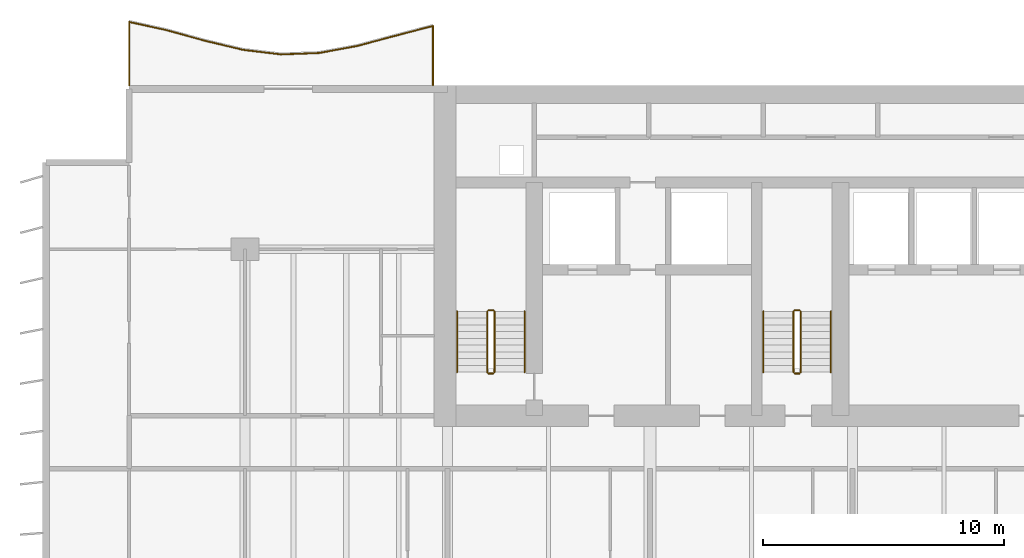
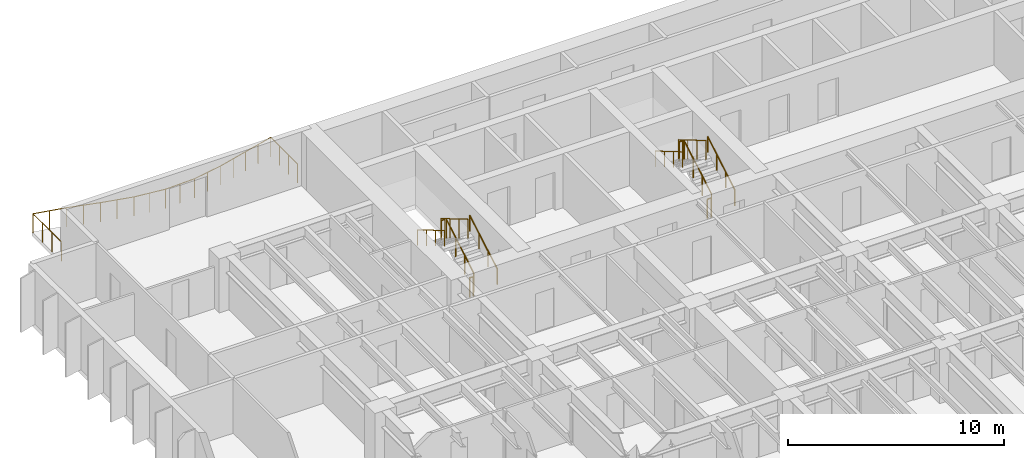
# One storey, part 17 of 19: 13 railings.
"""IFC4 building model written with IfcOpenShell, lengths in metres."""

from ifc_helpers import new_model, si_unit, direction, frame, origin, origin_2d, place, context, subcontext, project, spatial, circle, extrude, material, type_object, element, save


model = new_model("IFC4")

# Units and contexts
model_context = context("Model", 3, precision=1e-05, world=origin(), true_north=direction((0.0, 1.0)))
body_context = subcontext(model_context, "Body", "Model", "MODEL_VIEW")
ifc_project = project(units=[si_unit("LENGTHUNIT", "METRE"), si_unit("AREAUNIT", "SQUARE_METRE"), si_unit("VOLUMEUNIT", "CUBIC_METRE"), si_unit("PLANEANGLEUNIT", "RADIAN"), si_unit("MASSUNIT", "GRAM", prefix="KILO")], contexts=[model_context])

# Site, building, storey
site_placement = place(None, origin())
site = spatial("IfcSite", under=ifc_project, at=site_placement, CompositionType="ELEMENT")
building_placement = place(site_placement, origin())
building = spatial("IfcBuilding", under=site, at=building_placement, Name="Caelmar Bay Residences", CompositionType="ELEMENT")
storey_placement = place(building_placement, frame((0.0, 0.0, 66.300048828125)))
storey = spatial("IfcBuildingStorey", under=building, at=storey_placement, Name="L17", CompositionType="ELEMENT", Elevation=66.300048828125)

# Railings
ifc_material_1 = material(Name="Anodised bronze handrail with laminated hurricane glass infill", Category="glass")
railing_type_1 = type_object("IfcRailingType", Name="RL-BAL-1100", PredefinedType="BALUSTRADE", material=ifc_material_1)
railing_1_placement = place(storey_placement, frame((17.699951171875, 50.60009765625, 0.0)))
element("IfcRailing", 1, at=railing_1_placement, inside=storey, type_object=railing_type_1, Name="L17 north_west Balcony Balustrade", PredefinedType="BALUSTRADE", context=body_context, shape_type="SweptSolid", body=[
    extrude(circle(Radius=0.02392578125, at=origin_2d()), frame((0.0, 0.0, 1.076171875), z_axis=(0.0, 1.0, 0.0), x_axis=(-1.0, 0.0, 0.0)), (0.0, 0.0, 1.0), 2.460693359375),
    extrude(circle(Radius=0.02392578125, at=origin_2d()), frame((0.0, 2.460693359375, 1.076171875), z_axis=(-0.96753918199, -0.252721054356, 0.0), x_axis=(0.252721054356, -0.96753918199, 0.0)), (0.0, 0.0, 1.0), 1.627685546875),
    extrude(circle(Radius=0.02392578125, at=origin_2d()), frame((-1.574951171875, 2.04931640625, 1.076171875), z_axis=(-0.966020859721, -0.258464114692, 0.0), x_axis=(0.258464114692, -0.966020859721, 0.0)), (0.0, 0.0, 1.0), 1.63037109375),
    extrude(circle(Radius=0.02392578125, at=origin_2d()), frame((-3.14990234375, 1.6279296875, 1.076171875), z_axis=(-0.983570930926, -0.180522086842, 0.0), x_axis=(0.180522086842, -0.983570930926, 0.0)), (0.0, 0.0, 1.0), 1.601318359375),
    extrude(circle(Radius=0.02392578125, at=origin_2d()), frame((-4.724853515625, 1.3388671875, 1.076171875), z_axis=(-0.999279814953, -0.03794537425, 0.0), x_axis=(0.03794537425, -0.999279814953, 0.0)), (0.0, 0.0, 1.0), 1.576416015625),
    extrude(circle(Radius=0.02392578125, at=origin_2d()), frame((-6.300048828125, 1.279052734375, 1.076171875), z_axis=(-0.992787719874, 0.119885542363, 0.0), x_axis=(-0.119885542363, -0.992787719874, 0.0)), (0.0, 0.0, 1.0), 1.58642578125),
    extrude(circle(Radius=0.02392578125, at=origin_2d()), frame((-7.875, 1.46923828125, 1.076171875), z_axis=(-0.972736601003, 0.231912710021, 0.0), x_axis=(-0.231912710021, -0.972736601003, 0.0)), (0.0, 0.0, 1.0), 1.619140625),
    extrude(circle(Radius=0.02392578125, at=origin_2d()), frame((-9.449951171875, 1.8447265625, 1.076171875), z_axis=(-0.963938442099, 0.266125308538, 0.0), x_axis=(-0.266125308538, -0.963938442099, 0.0)), (0.0, 0.0, 1.0), 1.6337890625),
    extrude(circle(Radius=0.02392578125, at=origin_2d()), frame((-11.02490234375, 2.279541015625, 1.076171875), z_axis=(-0.976556074066, 0.215263174287, 0.0), x_axis=(-0.215263174287, -0.976556074066, 0.0)), (0.0, 0.0, 1.0), 1.61279296875),
    extrude(circle(Radius=0.02392578125, at=origin_2d()), frame((-12.599853515625, 2.626708984375, 1.076171875), z_axis=(0.0, -1.0, 0.0), x_axis=(1.0, 0.0, 0.0)), (0.0, 0.0, 1.0), 2.626708984375),
    extrude(circle(Radius=0.02099609375, at=origin_2d()), origin(), (0.0, 0.0, 1.0), 1.052001953125),
    extrude(circle(Radius=0.02099609375, at=origin_2d()), frame((0.0, 0.8203125, 0.0)), (0.0, 0.0, 1.0), 1.052001953125),
    extrude(circle(Radius=0.02099609375, at=origin_2d()), frame((0.0, 1.640380859375, 0.0)), (0.0, 0.0, 1.0), 1.052001953125),
    extrude(circle(Radius=0.02099609375, at=origin_2d()), frame((0.0, 2.460693359375, 0.0)), (0.0, 0.0, 1.0), 1.052001953125),
    extrude(circle(Radius=0.02099609375, at=origin_2d()), frame((-0.78759765625, 2.2548828125, 0.0)), (0.0, 0.0, 1.0), 1.052001953125),
    extrude(circle(Radius=0.02099609375, at=origin_2d()), frame((-1.574951171875, 2.04931640625, 0.0)), (0.0, 0.0, 1.0), 1.052001953125),
    extrude(circle(Radius=0.02099609375, at=origin_2d()), frame((-2.3623046875, 1.838623046875, 0.0)), (0.0, 0.0, 1.0), 1.052001953125),
    extrude(circle(Radius=0.02099609375, at=origin_2d()), frame((-3.14990234375, 1.6279296875, 0.0)), (0.0, 0.0, 1.0), 1.052001953125),
    extrude(circle(Radius=0.02099609375, at=origin_2d()), frame((-3.9375, 1.4833984375, 0.0)), (0.0, 0.0, 1.0), 1.052001953125),
    extrude(circle(Radius=0.02099609375, at=origin_2d()), frame((-4.724853515625, 1.3388671875, 0.0)), (0.0, 0.0, 1.0), 1.052001953125),
    extrude(circle(Radius=0.02099609375, at=origin_2d()), frame((-5.512451171875, 1.30908203125, 0.0)), (0.0, 0.0, 1.0), 1.052001953125),
    extrude(circle(Radius=0.02099609375, at=origin_2d()), frame((-6.300048828125, 1.279052734375, 0.0)), (0.0, 0.0, 1.0), 1.052001953125),
    extrude(circle(Radius=0.02099609375, at=origin_2d()), frame((-7.08740234375, 1.3740234375, 0.0)), (0.0, 0.0, 1.0), 1.052001953125),
    extrude(circle(Radius=0.02099609375, at=origin_2d()), frame((-7.875, 1.46923828125, 0.0)), (0.0, 0.0, 1.0), 1.052001953125),
    extrude(circle(Radius=0.02099609375, at=origin_2d()), frame((-8.66259765625, 1.656982421875, 0.0)), (0.0, 0.0, 1.0), 1.052001953125),
    extrude(circle(Radius=0.02099609375, at=origin_2d()), frame((-9.449951171875, 1.8447265625, 0.0)), (0.0, 0.0, 1.0), 1.052001953125),
    extrude(circle(Radius=0.02099609375, at=origin_2d()), frame((-10.2373046875, 2.06201171875, 0.0)), (0.0, 0.0, 1.0), 1.052001953125),
    extrude(circle(Radius=0.02099609375, at=origin_2d()), frame((-11.02490234375, 2.279541015625, 0.0)), (0.0, 0.0, 1.0), 1.052001953125),
    extrude(circle(Radius=0.02099609375, at=origin_2d()), frame((-11.8125, 2.453125, 0.0)), (0.0, 0.0, 1.0), 1.052001953125),
    extrude(circle(Radius=0.02099609375, at=origin_2d()), frame((-12.599853515625, 2.626708984375, 0.0)), (0.0, 0.0, 1.0), 1.052001953125),
    extrude(circle(Radius=0.02099609375, at=origin_2d()), frame((-12.599853515625, 1.751220703125, 0.0)), (0.0, 0.0, 1.0), 1.052001953125),
    extrude(circle(Radius=0.02099609375, at=origin_2d()), frame((-12.599853515625, 0.87548828125, 0.0)), (0.0, 0.0, 1.0), 1.052001953125),
    extrude(circle(Radius=0.02099609375, at=origin_2d()), frame((-12.599853515625, 0.0, 0.0)), (0.0, 0.0, 1.0), 1.052001953125),
])
ifc_material_2 = material(Name="Painted galvanized steel stair guard 1100 mm", Category="steel")
railing_type_2 = type_object("IfcRailingType", Name="RL-GRD-1100", PredefinedType="GUARDRAIL", material=ifc_material_2)
railing_2_placement = place(storey_placement, frame((20.25, 38.699951171875, 0.1650390625)))
element("IfcRailing", 2, at=railing_2_placement, inside=storey, type_object=railing_type_2, Name="L17 ST1 stair guard 1", PredefinedType="GUARDRAIL", context=body_context, shape_type="SweptSolid", body=[
    extrude(circle(Radius=0.02392578125, at=origin_2d()), frame((0.0, 0.0, 1.076171875), z_axis=(0.0, 0.861560626758, 0.507654692109), x_axis=(-1.0, 0.0, 0.0)), (0.0, 0.0, 1.0), 2.925048828125),
    extrude(circle(Radius=0.02099609375, at=origin_2d()), origin(), (0.0, 0.0, 1.0), 1.052001953125),
    extrude(circle(Radius=0.02099609375, at=origin_2d()), frame((0.0, 0.840087890625, 0.494873046875)), (0.0, 0.0, 1.0), 1.052001953125),
    extrude(circle(Radius=0.02099609375, at=origin_2d()), frame((0.0, 1.679931640625, 0.989990234375)), (0.0, 0.0, 1.0), 1.052001953125),
    extrude(circle(Radius=0.02099609375, at=origin_2d()), frame((0.0, 2.52001953125, 1.48486328125)), (0.0, 0.0, 1.0), 1.052001953125),
])
railing_3_placement = place(storey_placement, frame((20.199951171875, 41.27001953125, 1.64990234375)))
element("IfcRailing", 3, at=railing_3_placement, inside=storey, type_object=railing_type_2, Name="L17 ST1 stair guard 2", PredefinedType="GUARDRAIL", context=body_context, shape_type="SweptSolid", body=[
    extrude(circle(Radius=0.02392578125, at=origin_2d()), frame((0.0, 0.0, 1.076171875), z_axis=(-1.0, 0.0, 0.0), x_axis=(0.0, -1.0, 0.0)), (0.0, 0.0, 1.0), 0.199951171875),
    extrude(circle(Radius=0.02099609375, at=origin_2d()), origin(), (0.0, 0.0, 1.0), 1.052001953125),
    extrude(circle(Radius=0.02099609375, at=origin_2d()), frame((-0.199951171875, 0.0, 0.0)), (0.0, 0.0, 1.0), 1.052001953125),
])
railing_4_placement = place(storey_placement, frame((19.949951171875, 41.219970703125, 1.81494140625)))
element("IfcRailing", 4, at=railing_4_placement, inside=storey, type_object=railing_type_2, Name="L17 ST1 stair guard 3", PredefinedType="GUARDRAIL", context=body_context, shape_type="SweptSolid", body=[
    extrude(circle(Radius=0.02392578125, at=origin_2d()), frame((0.0, 0.0, 1.076171875), z_axis=(0.0, -0.86152411907, 0.507716645641), x_axis=(1.0, 0.0, 0.0)), (0.0, 0.0, 1.0), 2.925048828125),
    extrude(circle(Radius=0.02099609375, at=origin_2d()), origin(), (0.0, 0.0, 1.0), 1.052001953125),
    extrude(circle(Radius=0.02099609375, at=origin_2d()), frame((0.0, -0.840087890625, 0.4951171875)), (0.0, 0.0, 1.0), 1.052001953125),
    extrude(circle(Radius=0.02099609375, at=origin_2d()), frame((0.0, -1.679931640625, 0.989990234375)), (0.0, 0.0, 1.0), 1.052001953125),
    extrude(circle(Radius=0.02099609375, at=origin_2d()), frame((0.0, -2.52001953125, 1.485107421875)), (0.0, 0.0, 1.0), 1.052001953125),
])
railing_5_placement = place(storey_placement, frame((20.199951171875, 38.64990234375, 0.0)))
element("IfcRailing", 5, at=railing_5_placement, inside=storey, type_object=railing_type_2, Name="L17 ST1 stair guard 4", PredefinedType="GUARDRAIL", context=body_context, shape_type="SweptSolid", body=[
    extrude(circle(Radius=0.02392578125, at=origin_2d()), frame((0.0, 0.0, 1.076171875), z_axis=(-1.0, 0.0, 0.0), x_axis=(0.0, -1.0, 0.0)), (0.0, 0.0, 1.0), 0.199951171875),
    extrude(circle(Radius=0.02099609375, at=origin_2d()), origin(), (0.0, 0.0, 1.0), 1.052001953125),
    extrude(circle(Radius=0.02099609375, at=origin_2d()), frame((-0.199951171875, 0.0, 0.0)), (0.0, 0.0, 1.0), 1.052001953125),
])
railing_6_placement = place(storey_placement, frame((32.949951171875, 38.699951171875, 0.1650390625)))
element("IfcRailing", 6, at=railing_6_placement, inside=storey, type_object=railing_type_2, Name="L17 ST3 stair guard 1", PredefinedType="GUARDRAIL", context=body_context, shape_type="SweptSolid", body=[
    extrude(circle(Radius=0.02392578125, at=origin_2d()), frame((0.0, 0.0, 1.076171875), z_axis=(0.0, 0.861560626758, 0.507654692109), x_axis=(-1.0, 0.0, 0.0)), (0.0, 0.0, 1.0), 2.925048828125),
    extrude(circle(Radius=0.02099609375, at=origin_2d()), origin(), (0.0, 0.0, 1.0), 1.052001953125),
    extrude(circle(Radius=0.02099609375, at=origin_2d()), frame((0.0, 0.840087890625, 0.494873046875)), (0.0, 0.0, 1.0), 1.052001953125),
    extrude(circle(Radius=0.02099609375, at=origin_2d()), frame((0.0, 1.679931640625, 0.989990234375)), (0.0, 0.0, 1.0), 1.052001953125),
    extrude(circle(Radius=0.02099609375, at=origin_2d()), frame((0.0, 2.52001953125, 1.48486328125)), (0.0, 0.0, 1.0), 1.052001953125),
])
railing_7_placement = place(storey_placement, frame((32.89990234375, 41.27001953125, 1.64990234375)))
element("IfcRailing", 7, at=railing_7_placement, inside=storey, type_object=railing_type_2, Name="L17 ST3 stair guard 2", PredefinedType="GUARDRAIL", context=body_context, shape_type="SweptSolid", body=[
    extrude(circle(Radius=0.02392578125, at=origin_2d()), frame((0.0, 0.0, 1.076171875), z_axis=(-1.0, 0.0, 0.0), x_axis=(0.0, -1.0, 0.0)), (0.0, 0.0, 1.0), 0.199951171875),
    extrude(circle(Radius=0.02099609375, at=origin_2d()), origin(), (0.0, 0.0, 1.0), 1.052001953125),
    extrude(circle(Radius=0.02099609375, at=origin_2d()), frame((-0.199951171875, 0.0, 0.0)), (0.0, 0.0, 1.0), 1.052001953125),
])
railing_8_placement = place(storey_placement, frame((32.64990234375, 41.219970703125, 1.81494140625)))
element("IfcRailing", 8, at=railing_8_placement, inside=storey, type_object=railing_type_2, Name="L17 ST3 stair guard 3", PredefinedType="GUARDRAIL", context=body_context, shape_type="SweptSolid", body=[
    extrude(circle(Radius=0.02392578125, at=origin_2d()), frame((0.0, 0.0, 1.076171875), z_axis=(0.0, -0.86152411907, 0.507716645641), x_axis=(1.0, 0.0, 0.0)), (0.0, 0.0, 1.0), 2.925048828125),
    extrude(circle(Radius=0.02099609375, at=origin_2d()), origin(), (0.0, 0.0, 1.0), 1.052001953125),
    extrude(circle(Radius=0.02099609375, at=origin_2d()), frame((0.0, -0.840087890625, 0.4951171875)), (0.0, 0.0, 1.0), 1.052001953125),
    extrude(circle(Radius=0.02099609375, at=origin_2d()), frame((0.0, -1.679931640625, 0.989990234375)), (0.0, 0.0, 1.0), 1.052001953125),
    extrude(circle(Radius=0.02099609375, at=origin_2d()), frame((0.0, -2.52001953125, 1.485107421875)), (0.0, 0.0, 1.0), 1.052001953125),
])
railing_9_placement = place(storey_placement, frame((32.89990234375, 38.64990234375, 0.0)))
element("IfcRailing", 9, at=railing_9_placement, inside=storey, type_object=railing_type_2, Name="L17 ST3 stair guard 4", PredefinedType="GUARDRAIL", context=body_context, shape_type="SweptSolid", body=[
    extrude(circle(Radius=0.02392578125, at=origin_2d()), frame((0.0, 0.0, 1.076171875), z_axis=(-1.0, 0.0, 0.0), x_axis=(0.0, -1.0, 0.0)), (0.0, 0.0, 1.0), 0.199951171875),
    extrude(circle(Radius=0.02099609375, at=origin_2d()), origin(), (0.0, 0.0, 1.0), 1.052001953125),
    extrude(circle(Radius=0.02099609375, at=origin_2d()), frame((-0.199951171875, 0.0, 0.0)), (0.0, 0.0, 1.0), 1.052001953125),
])
ifc_material_3 = material(Name="Brushed bronze stainless-steel tubular handrail 900 mm", Category="steel")
railing_type_3 = type_object("IfcRailingType", Name="RL-HND-900", PredefinedType="HANDRAIL", material=ifc_material_3)
railing_10_placement = place(storey_placement, frame((21.5, 38.699951171875, 0.1650390625)))
element("IfcRailing", 10, at=railing_10_placement, inside=storey, type_object=railing_type_3, Name="L17 ST1 stair handrail 1", PredefinedType="HANDRAIL", context=body_context, shape_type="SweptSolid", body=[
    extrude(circle(Radius=0.02392578125, at=origin_2d()), frame((0.0, 0.0, 0.8759765625), z_axis=(0.0, 0.861560626758, 0.507654692109), x_axis=(-1.0, 0.0, 0.0)), (0.0, 0.0, 1.0), 2.925048828125),
    extrude(circle(Radius=0.02099609375, at=origin_2d()), origin(), (0.0, 0.0, 1.0), 0.851806640625),
    extrude(circle(Radius=0.02099609375, at=origin_2d()), frame((0.0, 0.840087890625, 0.494873046875)), (0.0, 0.0, 1.0), 0.851806640625),
    extrude(circle(Radius=0.02099609375, at=origin_2d()), frame((0.0, 1.679931640625, 0.989990234375)), (0.0, 0.0, 1.0), 0.851806640625),
    extrude(circle(Radius=0.02099609375, at=origin_2d()), frame((0.0, 2.52001953125, 1.48486328125)), (0.0, 0.0, 1.0), 0.851806640625),
])
railing_11_placement = place(storey_placement, frame((18.699951171875, 41.219970703125, 1.81494140625)))
element("IfcRailing", 11, at=railing_11_placement, inside=storey, type_object=railing_type_3, Name="L17 ST1 stair handrail 2", PredefinedType="HANDRAIL", context=body_context, shape_type="SweptSolid", body=[
    extrude(circle(Radius=0.02392578125, at=origin_2d()), frame((0.0, 0.0, 0.8759765625), z_axis=(0.0, -0.86152411907, 0.507716645641), x_axis=(1.0, 0.0, 0.0)), (0.0, 0.0, 1.0), 2.925048828125),
    extrude(circle(Radius=0.02099609375, at=origin_2d()), origin(), (0.0, 0.0, 1.0), 0.851806640625),
    extrude(circle(Radius=0.02099609375, at=origin_2d()), frame((0.0, -0.840087890625, 0.4951171875)), (0.0, 0.0, 1.0), 0.851806640625),
    extrude(circle(Radius=0.02099609375, at=origin_2d()), frame((0.0, -1.679931640625, 0.989990234375)), (0.0, 0.0, 1.0), 0.851806640625),
    extrude(circle(Radius=0.02099609375, at=origin_2d()), frame((0.0, -2.52001953125, 1.485107421875)), (0.0, 0.0, 1.0), 0.851806640625),
])
railing_12_placement = place(storey_placement, frame((34.199951171875, 38.699951171875, 0.1650390625)))
element("IfcRailing", 12, at=railing_12_placement, inside=storey, type_object=railing_type_3, Name="L17 ST3 stair handrail 1", PredefinedType="HANDRAIL", context=body_context, shape_type="SweptSolid", body=[
    extrude(circle(Radius=0.02392578125, at=origin_2d()), frame((0.0, 0.0, 0.8759765625), z_axis=(0.0, 0.861560626758, 0.507654692109), x_axis=(-1.0, 0.0, 0.0)), (0.0, 0.0, 1.0), 2.925048828125),
    extrude(circle(Radius=0.02099609375, at=origin_2d()), origin(), (0.0, 0.0, 1.0), 0.851806640625),
    extrude(circle(Radius=0.02099609375, at=origin_2d()), frame((0.0, 0.840087890625, 0.494873046875)), (0.0, 0.0, 1.0), 0.851806640625),
    extrude(circle(Radius=0.02099609375, at=origin_2d()), frame((0.0, 1.679931640625, 0.989990234375)), (0.0, 0.0, 1.0), 0.851806640625),
    extrude(circle(Radius=0.02099609375, at=origin_2d()), frame((0.0, 2.52001953125, 1.48486328125)), (0.0, 0.0, 1.0), 0.851806640625),
])
railing_13_placement = place(storey_placement, frame((31.39990234375, 41.219970703125, 1.81494140625)))
element("IfcRailing", 13, at=railing_13_placement, inside=storey, type_object=railing_type_3, Name="L17 ST3 stair handrail 2", PredefinedType="HANDRAIL", context=body_context, shape_type="SweptSolid", body=[
    extrude(circle(Radius=0.02392578125, at=origin_2d()), frame((0.0, 0.0, 0.8759765625), z_axis=(0.0, -0.86152411907, 0.507716645641), x_axis=(1.0, 0.0, 0.0)), (0.0, 0.0, 1.0), 2.925048828125),
    extrude(circle(Radius=0.02099609375, at=origin_2d()), origin(), (0.0, 0.0, 1.0), 0.851806640625),
    extrude(circle(Radius=0.02099609375, at=origin_2d()), frame((0.0, -0.840087890625, 0.4951171875)), (0.0, 0.0, 1.0), 0.851806640625),
    extrude(circle(Radius=0.02099609375, at=origin_2d()), frame((0.0, -1.679931640625, 0.989990234375)), (0.0, 0.0, 1.0), 0.851806640625),
    extrude(circle(Radius=0.02099609375, at=origin_2d()), frame((0.0, -2.52001953125, 1.485107421875)), (0.0, 0.0, 1.0), 0.851806640625),
])

save(model, "model.ifc")
